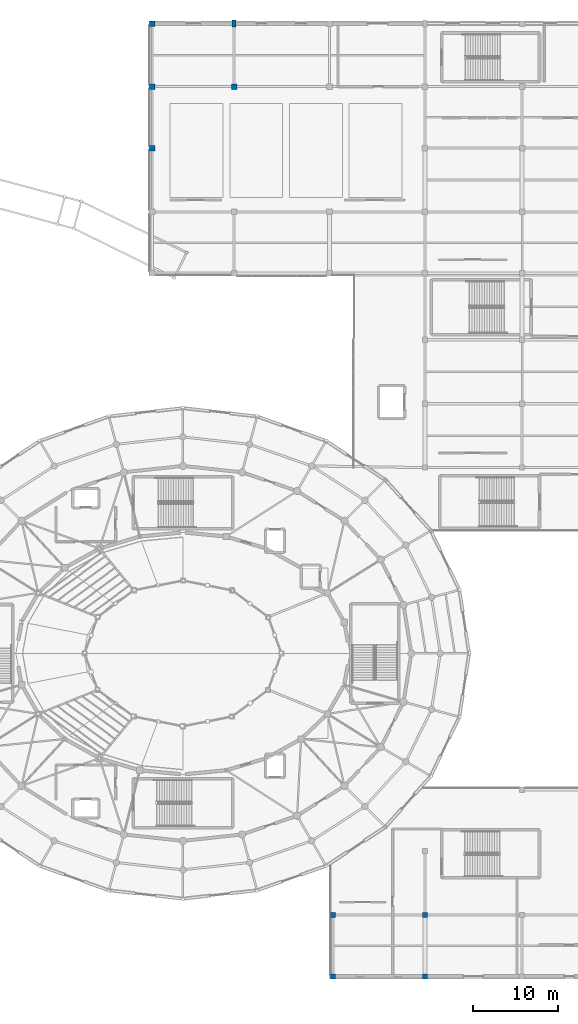
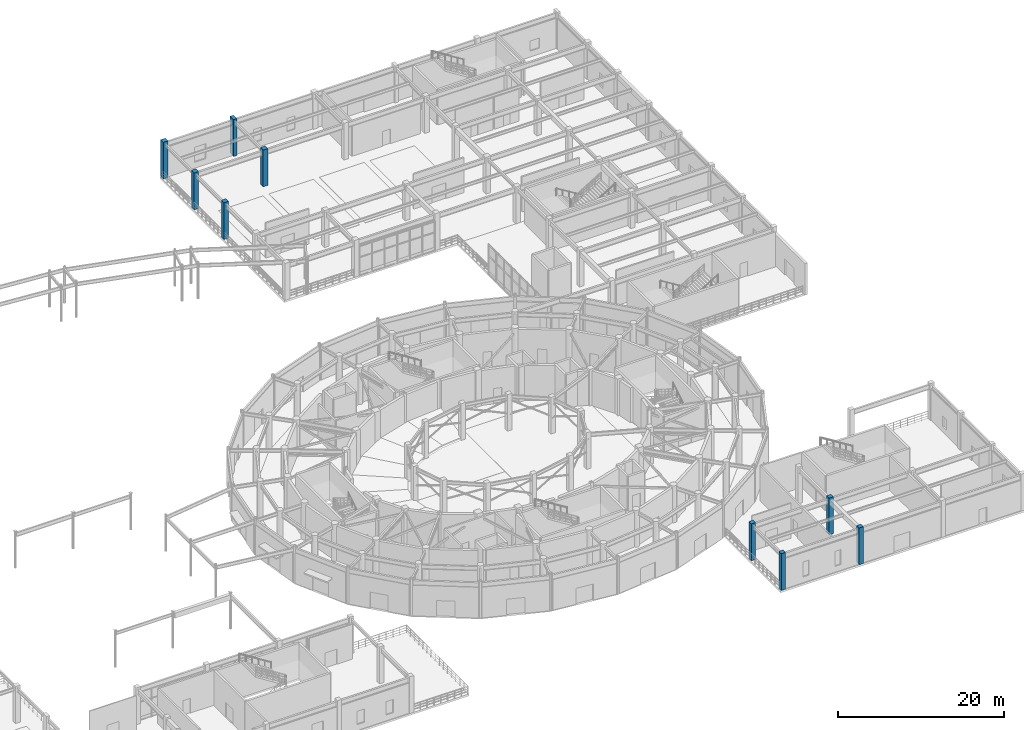
# One storey, part 15 of 93: 9 columns.
"""IFC4 building model written with IfcOpenShell, lengths in metres."""

from ifc_helpers import new_model, si_unit, direction, frame, origin, origin_2d, place, context, subcontext, project, spatial, rectangle, extrude, material, material_profile, profile_set, type_object, element, save


model = new_model("IFC4")

# Units and contexts
model_context = context("Model", 3, precision=1e-05, world=origin(), true_north=direction((0.0, 1.0)))
body_context = subcontext(model_context, "Body", "Model", "MODEL_VIEW")
ifc_project = project(units=[si_unit("LENGTHUNIT", "METRE"), si_unit("AREAUNIT", "SQUARE_METRE"), si_unit("VOLUMEUNIT", "CUBIC_METRE"), si_unit("PLANEANGLEUNIT", "RADIAN"), si_unit("MASSUNIT", "GRAM", prefix="KILO")], contexts=[model_context])

# Site, building, storey
site_placement = place(None, origin())
site = spatial("IfcSite", under=ifc_project, at=site_placement, CompositionType="ELEMENT")
building_placement = place(site_placement, origin())
building = spatial("IfcBuilding", under=site, at=building_placement, Name="Cinderbank Siding Concert Hall", CompositionType="ELEMENT")
storey_placement = place(building_placement, origin())
storey = spatial("IfcBuildingStorey", under=building, at=storey_placement, Name="L01", CompositionType="ELEMENT", Elevation=0.0)

# Columns
ifc_material = material(Name="Reinforced concrete AS 3600 N50 (50 MPa)", Category="concrete")
ifc_material_profile_1 = material_profile(ifc_material, rectangle(XDim=0.60009765625, YDim=0.60009765625, at=origin_2d()), Name="RC-COL-600x600", Category="LoadBearing")
ifc_profile_set_1 = profile_set([ifc_material_profile_1], Name="Reinforced concrete AS 3600 N50 (50 MPa)")
column_type_1 = type_object("IfcColumnType", Name="C-RC600 RC-COL-600x600", PredefinedType="COLUMN", material=ifc_profile_set_1)
for number, where, z_axis, x_axis, name in (
    (1, (139.60009765625, 6.10009765625, 0.0), (0.0, 0.0, 1.0), (1.0, 0.0, 0.0), "L01 Column COL-SE-1-1"),
    (2, (139.60009765625, 13.300048828125, 0.0), (0.0, 0.0, 1.0), (1.0, 0.0, 0.0), "L01 Column COL-SE-1-2"),
    (3, (150.39990234375, 6.10009765625, 0.0), (0.0, 0.0, 1.0), (1.0, 0.0, 0.0), "L01 Column COL-SE-2-1"),
    (4, (150.39990234375, 13.300048828125, 0.0), (0.0, 0.0, 1.0), (1.0, 0.0, 0.0), "L01 Column COL-SE-2-2"),
):
    element("IfcColumn", number, at=place(storey_placement, frame(where, z_axis=z_axis, x_axis=x_axis)), inside=storey, type_object=column_type_1, Name=name, PredefinedType="COLUMN", context=body_context, shape_type="SweptSolid", body=[
        extrude(rectangle(XDim=0.60009765625, YDim=0.60009765625, at=origin_2d()), origin(), (0.0, 0.0, 1.0), 5.39990234375),
    ])
ifc_material_profile_2 = material_profile(ifc_material, rectangle(XDim=0.64990234375, YDim=0.64990234375, at=origin_2d()), Name="RC-COL-650x650", Category="LoadBearing")
ifc_profile_set_2 = profile_set([ifc_material_profile_2], Name="Reinforced concrete AS 3600 N50 (50 MPa)")
column_type_2 = type_object("IfcColumnType", Name="C-RC650 RC-COL-650x650", PredefinedType="COLUMN", material=ifc_profile_set_2)
for number, where, z_axis, x_axis, name in (
    (5, (118.39990234375, 103.300048828125, 0.0), (0.0, 0.0, 1.0), (1.0, 0.0, 0.0), "L01 Column COL-V3-1-3"),
    (6, (118.39990234375, 110.5, 0.0), (0.0, 0.0, 1.0), (1.0, 0.0, 0.0), "L01 Column COL-V3-1-4"),
    (7, (118.39990234375, 117.89990234375, 0.0), (0.0, 0.0, 1.0), (1.0, 0.0, 0.0), "L01 Column COL-V3-1-5"),
    (8, (128.0, 110.5, 0.0), (0.0, 0.0, 1.0), (1.0, 0.0, 0.0), "L01 Column COL-V3-2-4"),
):
    element("IfcColumn", number, at=place(storey_placement, frame(where, z_axis=z_axis, x_axis=x_axis)), inside=storey, type_object=column_type_2, Name=name, PredefinedType="COLUMN", context=body_context, shape_type="SweptSolid", body=[
        extrude(rectangle(XDim=0.64990234375, YDim=0.64990234375, at=origin_2d()), origin(), (0.0, 0.0, 1.0), 5.39990234375),
    ])
ifc_material_profile_3 = material_profile(ifc_material, rectangle(XDim=0.449951171875, YDim=0.85009765625, at=origin_2d()), Name="RC-PIER-450x850", Category="LoadBearing")
ifc_profile_set_3 = profile_set([ifc_material_profile_3], Name="Reinforced concrete AS 3600 N50 (50 MPa)")
column_type_3 = type_object("IfcColumnType", Name="PL-RC850 RC-PIER-450x850", PredefinedType="PILASTER", material=ifc_profile_set_3)
column_placement = place(storey_placement, frame((128.0, 117.89990234375, 0.0), z_axis=(0.0, 0.0, 1.0), x_axis=(1.0, 0.0, 0.0)))
element("IfcColumn", 9, at=column_placement, inside=storey, type_object=column_type_3, Name="L01 Column COL-V3-2-5", PredefinedType="PILASTER", context=body_context, shape_type="SweptSolid", body=[
    extrude(rectangle(XDim=0.449951171875, YDim=0.85009765625, at=origin_2d()), origin(), (0.0, 0.0, 1.0), 5.39990234375),
])

save(model, "model.ifc")
